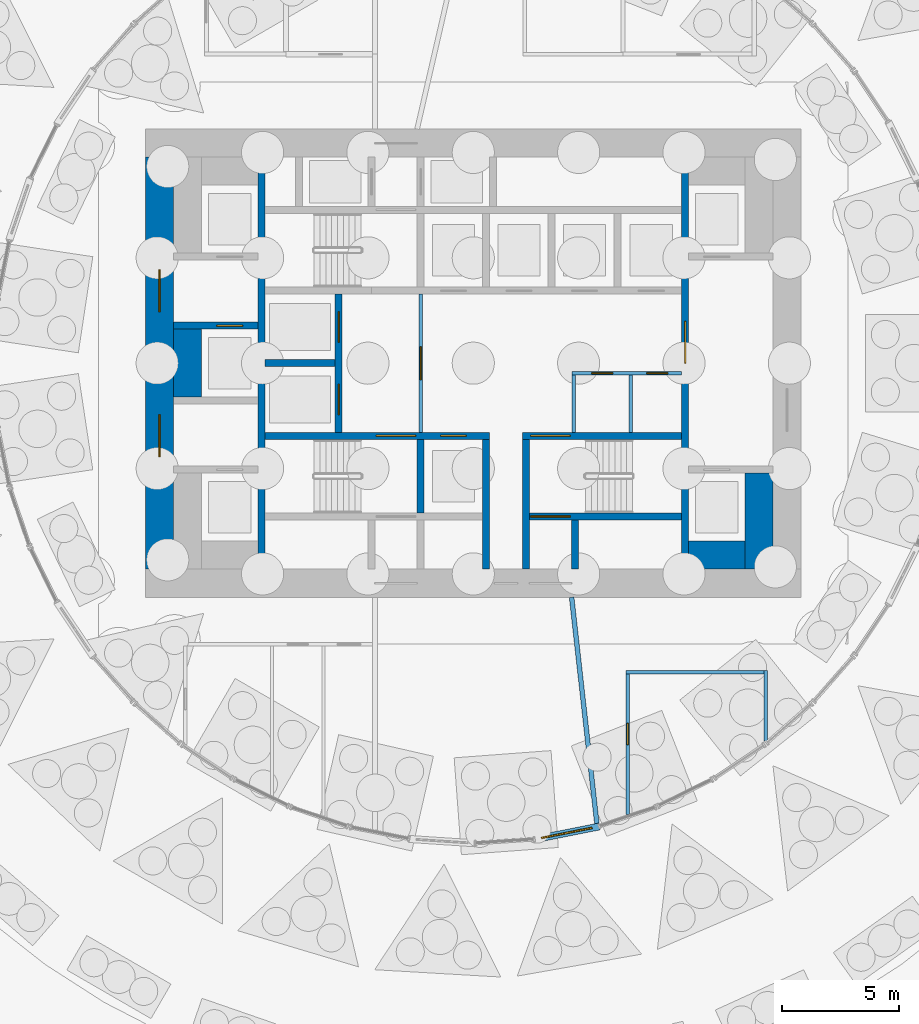
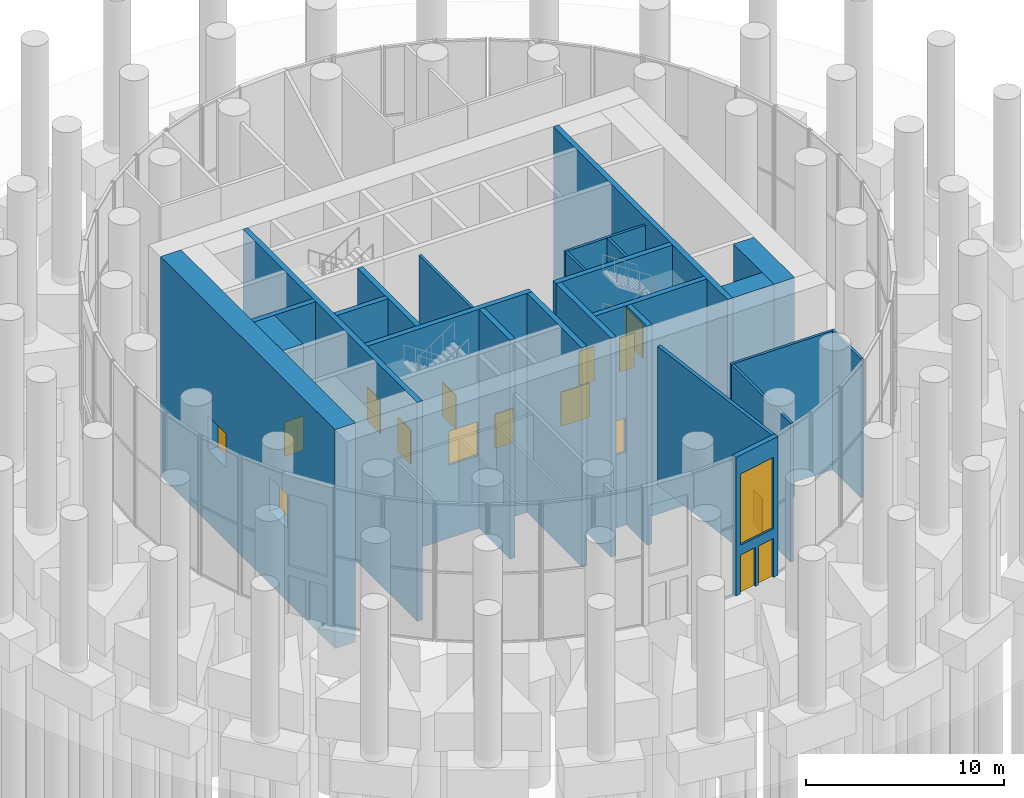
# One storey, part 13 of 20: 25 walls, 16 doors, 1 window, 17 openings.
"""IFC4 building model written with IfcOpenShell, lengths in metres."""

from ifc_helpers import new_model, si_unit, direction, frame, frame_2d, origin, place, context, subcontext, project, spatial, rectangle, extrude, material, layer, layer_set, type_object, element, fill, save


model = new_model("IFC4")

# Units and contexts
model_context = context("Model", 3, precision=1e-05, world=origin(), true_north=direction((0.0, 1.0)))
body_context = subcontext(model_context, "Body", "Model", "MODEL_VIEW")
ifc_project = project(units=[si_unit("LENGTHUNIT", "METRE"), si_unit("AREAUNIT", "SQUARE_METRE"), si_unit("VOLUMEUNIT", "CUBIC_METRE"), si_unit("PLANEANGLEUNIT", "RADIAN"), si_unit("MASSUNIT", "GRAM", prefix="KILO")], contexts=[model_context])

# Site, building, storey
site_placement = place(None, origin())
site = spatial("IfcSite", under=ifc_project, at=site_placement, CompositionType="ELEMENT")
building_placement = place(site_placement, origin())
building = spatial("IfcBuilding", under=site, at=building_placement, Name="Tracery Tower", CompositionType="ELEMENT")
storey_placement = place(building_placement, origin())
storey = spatial("IfcBuildingStorey", under=building, at=storey_placement, Name="L00", CompositionType="ELEMENT", Elevation=0.0)

# Wall, opening, door
ifc_material_1 = material(Name="Plasterboard on steel studs", Category="steel")
ifc_layer_1 = layer(ifc_material_1, 0.14990234375)
ifc_layer_set_1 = layer_set([ifc_layer_1], Name="Core lobby partition 150")
wall_type_1 = type_object("IfcWallType", Name="Core lobby partition 150", PredefinedType="SOLIDWALL", material=ifc_layer_set_1)
wall_1_placement = place(storey_placement, frame((-2.25, -2.949951171875, 0.0), z_axis=(0.0, 0.0, 1.0), x_axis=(0.0, 1.0, 0.0)))
wall_1 = element("IfcWall", 1, at=wall_1_placement, inside=storey, type_object=wall_type_1, Name="L00 FF lobby E", PredefinedType="SOLIDWALL", context=body_context, shape_type="SweptSolid", body=[
    extrude(rectangle(XDim=5.89990234375, YDim=0.14990234375, at=frame_2d((2.949951171875, 0.0))), origin(), (0.0, 0.0, 1.0), 8.550048828125),
])
opening_1_placement = place(wall_1_placement, frame((2.25, 0.0, 0.0)))
opening_1 = element("IfcOpeningElement", 2, at=opening_1_placement, cuts=wall_1, Name="Opening KD8", PredefinedType="OPENING", context=body_context, shape_type="SweptSolid", body=[
    extrude(rectangle(XDim=1.39990234375, YDim=2.10009765625, at=frame_2d((0.699951171875, 1.050048828125))), frame((0.0, 0.074951171875, 0.0), z_axis=(0.0, -1.0, 0.0), x_axis=(1.0, 0.0, 0.0)), (0.0, 0.0, 1.0), 0.14990234375),
])
ifc_material_2 = material(Name="Steel fire door", Category="steel")
door_type_1 = type_object("IfcDoorType", Name="Core lobby door 1400 double", OperationType="NOTDEFINED", PredefinedType="DOOR", material=ifc_material_2)
door_1_placement = place(opening_1_placement, origin())
door_1 = element("IfcDoor", 3, at=door_1_placement, inside=storey, type_object=door_type_1, Name="Fire-fighting lobby door", OperationType="DOUBLE_DOOR_SINGLE_SWING", OverallHeight=2.10009765625, OverallWidth=1.39990234375, PredefinedType="DOOR", context=body_context, shape_type="SweptSolid", body=[
    extrude(rectangle(XDim=1.39990234375, YDim=2.10009765625, at=frame_2d((0.699951171875, 1.050048828125))), frame((0.0, 0.02490234375, 0.0), z_axis=(0.0, -1.0, 0.0), x_axis=(1.0, 0.0, 0.0)), (0.0, 0.0, 1.0), 0.050048828125),
])
fill(opening_1, door_1)

# Wall
ifc_material_3 = material(Name="Plasterboard on steel studs", Category="steel")
ifc_layer_2 = layer(ifc_material_3, 0.14990234375)
ifc_layer_set_2 = layer_set([ifc_layer_2], Name="Core room partition 150")
wall_type_2 = type_object("IfcWallType", Name="Core room partition 150", PredefinedType="SOLIDWALL", material=ifc_layer_set_2)
wall_2_placement = place(storey_placement, frame((4.300048828125, -2.949951171875, 0.0), z_axis=(0.0, 0.0, 1.0), x_axis=(0.0, 1.0, 0.0)))
element("IfcWall", 4, at=wall_2_placement, inside=storey, type_object=wall_type_2, Name="L00 slot W", PredefinedType="SOLIDWALL", context=body_context, shape_type="SweptSolid", body=[
    extrude(rectangle(XDim=2.449951171875, YDim=0.14990234375, at=frame_2d((1.22509765625, 0.0))), origin(), (0.0, 0.0, 1.0), 8.550048828125),
])

# Wall, openings, doors
wall_3_placement = place(storey_placement, frame((4.22509765625, -0.425048828125, 0.0), z_axis=(0.0, 0.0, 1.0), x_axis=(1.0, 0.0, 0.0)))
wall_3 = element("IfcWall", 5, at=wall_3_placement, inside=storey, type_object=wall_type_2, Name="L00 slot N", PredefinedType="SOLIDWALL", context=body_context, shape_type="SweptSolid", body=[
    extrude(rectangle(XDim=4.6748046875, YDim=0.14990234375, at=frame_2d((2.33740234375, 0.0))), origin(), (0.0, 0.0, 1.0), 8.550048828125),
])
opening_2_placement = place(wall_3_placement, frame((0.83740234375, 0.0, 0.0)))
opening_2 = element("IfcOpeningElement", 6, at=opening_2_placement, cuts=wall_3, Name="Opening KD27", PredefinedType="OPENING", context=body_context, shape_type="SweptSolid", body=[
    extrude(rectangle(XDim=0.89990234375, YDim=2.10009765625, at=frame_2d((0.449951171875, 1.050048828125))), frame((0.0, 0.074951171875, 0.0), z_axis=(0.0, -1.0, 0.0), x_axis=(1.0, 0.0, 0.0)), (0.0, 0.0, 1.0), 0.14990234375),
])
opening_3_placement = place(wall_3_placement, frame((3.175048828125, 0.0, 0.0)))
opening_3 = element("IfcOpeningElement", 7, at=opening_3_placement, cuts=wall_3, Name="Opening KD21", PredefinedType="OPENING", context=body_context, shape_type="SweptSolid", body=[
    extrude(rectangle(XDim=0.89990234375, YDim=2.10009765625, at=frame_2d((0.449951171875, 1.050048828125))), frame((0.0, 0.074951171875, 0.0), z_axis=(0.0, -1.0, 0.0), x_axis=(1.0, 0.0, 0.0)), (0.0, 0.0, 1.0), 0.14990234375),
])
ifc_material_4 = material(Name="Timber door leaf", Category="wood")
door_type_2 = type_object("IfcDoorType", Name="Core WC door 900", OperationType="NOTDEFINED", PredefinedType="DOOR", material=ifc_material_4)
door_2_placement = place(opening_3_placement, origin())
door_2 = element("IfcDoor", 8, at=door_2_placement, inside=storey, type_object=door_type_2, Name="Core door", OperationType="SINGLE_SWING_LEFT", OverallHeight=2.10009765625, OverallWidth=0.89990234375, PredefinedType="DOOR", context=body_context, shape_type="SweptSolid", body=[
    extrude(rectangle(XDim=0.89990234375, YDim=2.10009765625, at=frame_2d((0.449951171875, 1.050048828125))), frame((0.0, 0.02490234375, 0.0), z_axis=(0.0, -1.0, 0.0), x_axis=(1.0, 0.0, 0.0)), (0.0, 0.0, 1.0), 0.050048828125),
])
fill(opening_3, door_2)
ifc_material_5 = material(Name="Timber door leaf", Category="wood")
door_type_3 = type_object("IfcDoorType", Name="Core store door 900", OperationType="NOTDEFINED", PredefinedType="DOOR", material=ifc_material_5)
door_3_placement = place(opening_2_placement, origin())
door_3 = element("IfcDoor", 9, at=door_3_placement, inside=storey, type_object=door_type_3, Name="Core door", OperationType="SINGLE_SWING_RIGHT", OverallHeight=2.10009765625, OverallWidth=0.89990234375, PredefinedType="DOOR", context=body_context, shape_type="SweptSolid", body=[
    extrude(rectangle(XDim=0.89990234375, YDim=2.10009765625, at=frame_2d((0.449951171875, 1.050048828125))), frame((0.0, 0.02490234375, 0.0), z_axis=(0.0, -1.0, 0.0), x_axis=(1.0, 0.0, 0.0)), (0.0, 0.0, 1.0), 0.050048828125),
])
fill(opening_2, door_3)

# Walls
wall_4_placement = place(storey_placement, frame((6.72509765625, -2.949951171875, 0.0), z_axis=(0.0, 0.0, 1.0), x_axis=(0.0, 1.0, 0.0)))
element("IfcWall", 10, at=wall_4_placement, inside=storey, type_object=wall_type_2, Name="L00 slot sep 1", PredefinedType="SOLIDWALL", context=body_context, shape_type="SweptSolid", body=[
    extrude(rectangle(XDim=2.449951171875, YDim=0.14990234375, at=frame_2d((1.22509765625, 0.0))), origin(), (0.0, 0.0, 1.0), 8.550048828125),
])
ifc_material_6 = material(Name="Concrete C60/75", Category="concrete")
ifc_layer_3 = layer(ifc_material_6, 1.199951171875)
ifc_layer_set_3 = layer_set([ifc_layer_3], Name="Core strip wall 1200 C60 from pit")
wall_type_3 = type_object("IfcWallType", Name="Core strip wall 1200 C60 from pit", PredefinedType="SOLIDWALL", material=ifc_layer_set_3)
wall_5_placement = place(storey_placement, frame((-12.199951171875, -1.449951171875, -4.5), z_axis=(0.0, 0.0, 1.0), x_axis=(0.0, 1.0, 0.0)))
element("IfcWall", 11, at=wall_5_placement, inside=storey, type_object=wall_type_3, Name="L00 wing strip -1 -1.6", PredefinedType="SOLIDWALL", context=body_context, shape_type="SweptSolid", body=[
    extrude(rectangle(XDim=2.89990234375, YDim=1.199951171875, at=frame_2d((1.449951171875, 0.0))), origin(), (0.0, 0.0, 1.0), 13.5),
])
wall_6_placement = place(storey_placement, frame((12.199951171875, -8.800048828125, -4.5), z_axis=(0.0, 0.0, 1.0), x_axis=(0.0, 1.0, 0.0)))
element("IfcWall", 12, at=wall_6_placement, inside=storey, type_object=wall_type_3, Name="L00 wing strip +1 -9.4", PredefinedType="SOLIDWALL", context=body_context, shape_type="SweptSolid", body=[
    extrude(rectangle(XDim=4.10009765625, YDim=1.199951171875, at=frame_2d((2.050048828125, 0.0))), origin(), (0.0, 0.0, 1.0), 13.5),
])
wall_7_placement = place(storey_placement, frame((9.199951171875, -8.199951171875, -4.5), z_axis=(0.0, 0.0, 1.0), x_axis=(1.0, 0.0, 0.0)))
element("IfcWall", 13, at=wall_7_placement, inside=storey, type_object=wall_type_3, Name="L00 wing corner +1 -8.2", PredefinedType="SOLIDWALL", context=body_context, shape_type="SweptSolid", body=[
    extrude(rectangle(XDim=2.400146484375, YDim=1.199951171875, at=frame_2d((1.2001953125, 0.0))), origin(), (0.0, 0.0, 1.0), 13.5),
])

# Wall, openings, doors
ifc_material_7 = material(Name="Concrete C60/75", Category="concrete")
ifc_layer_4 = layer(ifc_material_7, 1.199951171875)
ifc_layer_set_4 = layer_set([ifc_layer_4], Name="Core wall 1200 C60 from pit")
wall_type_4 = type_object("IfcWallType", Name="Core wall 1200 C60 from pit", PredefinedType="SOLIDWALL", material=ifc_layer_set_4)
wall_8_placement = place(storey_placement, frame((-13.39990234375, -8.800048828125, -4.5), z_axis=(0.0, 0.0, 1.0), x_axis=(0.0, 1.0, 0.0)))
wall_8 = element("IfcWall", 14, at=wall_8_placement, inside=storey, type_object=wall_type_4, Name="L00 outer W", PredefinedType="SOLIDWALL", context=body_context, shape_type="SweptSolid", body=[
    extrude(rectangle(XDim=17.60009765625, YDim=1.199951171875, at=frame_2d((8.800048828125, 0.0))), origin(), (0.0, 0.0, 1.0), 13.5),
])
opening_4_placement = place(wall_8_placement, frame((4.800048828125, 0.0, 4.5)))
opening_4 = element("IfcOpeningElement", 15, at=opening_4_placement, cuts=wall_8, Name="Opening KD13", PredefinedType="OPENING", context=body_context, shape_type="SweptSolid", body=[
    extrude(rectangle(XDim=1.800048828125, YDim=2.10009765625, at=frame_2d((0.89990234375, 1.050048828125))), frame((0.0, 0.60009765625, 0.0), z_axis=(0.0, -1.0, 0.0), x_axis=(1.0, 0.0, 0.0)), (0.0, 0.0, 1.0), 1.199951171875),
])
opening_5_placement = place(wall_8_placement, frame((11.0, 0.0, 4.5)))
opening_5 = element("IfcOpeningElement", 16, at=opening_5_placement, cuts=wall_8, Name="Opening KD13", PredefinedType="OPENING", context=body_context, shape_type="SweptSolid", body=[
    extrude(rectangle(XDim=1.800048828125, YDim=2.10009765625, at=frame_2d((0.89990234375, 1.050048828125))), frame((0.0, 0.60009765625, 0.0), z_axis=(0.0, -1.0, 0.0), x_axis=(1.0, 0.0, 0.0)), (0.0, 0.0, 1.0), 1.199951171875),
])
ifc_material_8 = material(Name="Steel fire door", Category="steel")
door_type_4 = type_object("IfcDoorType", Name="Core exit door 1800 double", OperationType="NOTDEFINED", PredefinedType="DOOR", material=ifc_material_8)
door_4_placement = place(opening_4_placement, origin())
door_4 = element("IfcDoor", 17, at=door_4_placement, inside=storey, type_object=door_type_4, Name="Core exit door", OperationType="DOUBLE_DOOR_SINGLE_SWING", OverallHeight=2.10009765625, OverallWidth=1.800048828125, PredefinedType="DOOR", context=body_context, shape_type="SweptSolid", body=[
    extrude(rectangle(XDim=1.800048828125, YDim=2.10009765625, at=frame_2d((0.89990234375, 1.050048828125))), frame((0.0, 0.02490234375, 0.0), z_axis=(0.0, -1.0, 0.0), x_axis=(1.0, 0.0, 0.0)), (0.0, 0.0, 1.0), 0.050048828125),
])
fill(opening_4, door_4)
door_5_placement = place(opening_5_placement, origin())
door_5 = element("IfcDoor", 18, at=door_5_placement, inside=storey, type_object=door_type_4, Name="Core exit door", OperationType="DOUBLE_DOOR_SINGLE_SWING", OverallHeight=2.10009765625, OverallWidth=1.800048828125, PredefinedType="DOOR", context=body_context, shape_type="SweptSolid", body=[
    extrude(rectangle(XDim=1.800048828125, YDim=2.10009765625, at=frame_2d((0.89990234375, 1.050048828125))), frame((0.0, 0.02490234375, 0.0), z_axis=(0.0, -1.0, 0.0), x_axis=(1.0, 0.0, 0.0)), (0.0, 0.0, 1.0), 0.050048828125),
])
fill(opening_5, door_5)

# Wall, opening, door
ifc_material_9 = material(Name="Plasterboard on steel studs", Category="steel")
ifc_layer_5 = layer(ifc_material_9, 0.14990234375)
ifc_layer_set_5 = layer_set([ifc_layer_5], Name="Corridor partition 150")
wall_type_5 = type_object("IfcWallType", Name="Corridor partition 150", PredefinedType="PARTITIONING", material=ifc_layer_set_5)
wall_9_placement = place(storey_placement, frame((6.60009765625, -13.27490234375, 0.0), z_axis=(0.0, 0.0, 1.0), x_axis=(0.0, -1.0, 0.0)))
wall_9 = element("IfcWall", 19, at=wall_9_placement, inside=storey, type_object=wall_type_5, Name="Corridor partition 150", PredefinedType="PARTITIONING", context=body_context, shape_type="SweptSolid", body=[
    extrude(rectangle(XDim=6.00146484375, YDim=0.14990234375, at=frame_2d((3.000732421875, 0.0))), origin(), (0.0, 0.0, 1.0), 8.550048828125),
])
opening_6_placement = place(wall_9_placement, frame((2.11328125, 0.0, 0.0)))
opening_6 = element("IfcOpeningElement", 20, at=opening_6_placement, cuts=wall_9, Name="Opening SB-L00-01", PredefinedType="OPENING", context=body_context, shape_type="SweptSolid", body=[
    extrude(rectangle(XDim=0.89990234375, YDim=2.10009765625, at=frame_2d((0.449951171875, 1.050048828125))), frame((0.0, 0.074951171875, 0.0), z_axis=(0.0, -1.0, 0.0), x_axis=(1.0, 0.0, 0.0)), (0.0, 0.0, 1.0), 0.14990234375),
])
ifc_material_10 = material(Name="Steel fire door", Category="steel")
door_type_5 = type_object("IfcDoorType", Name="Store door 900", OperationType="NOTDEFINED", PredefinedType="DOOR", material=ifc_material_10)
door_6_placement = place(opening_6_placement, origin())
door_6 = element("IfcDoor", 21, at=door_6_placement, inside=storey, type_object=door_type_5, Name="Store door 900", OperationType="SINGLE_SWING_RIGHT", OverallHeight=2.10009765625, OverallWidth=0.89990234375, PredefinedType="DOOR", context=body_context, shape_type="SweptSolid", body=[
    extrude(rectangle(XDim=0.89990234375, YDim=2.10009765625, at=frame_2d((0.449951171875, 1.050048828125))), frame((0.0, 0.02490234375, 0.0), z_axis=(0.0, -1.0, 0.0), x_axis=(1.0, 0.0, 0.0)), (0.0, 0.0, 1.0), 0.050048828125),
])
fill(opening_6, door_6)

# Walls
wall_10_placement = place(storey_placement, frame((6.52490234375, -13.199951171875, 0.0), z_axis=(0.0, 0.0, 1.0), x_axis=(1.0, 0.0, 0.0)))
element("IfcWall", 22, at=wall_10_placement, inside=storey, type_object=wall_type_5, Name="Corridor partition 150", PredefinedType="PARTITIONING", context=body_context, shape_type="SweptSolid", body=[
    extrude(rectangle(XDim=5.900146484375, YDim=0.14990234375, at=frame_2d((2.9501953125, 0.0))), origin(), (0.0, 0.0, 1.0), 8.550048828125),
])
wall_11_placement = place(storey_placement, frame((12.5, -13.125, 0.0), z_axis=(0.0, 0.0, 1.0), x_axis=(0.0, -1.0, 0.0)))
element("IfcWall", 23, at=wall_11_placement, inside=storey, type_object=wall_type_5, Name="Corridor partition 150", PredefinedType="PARTITIONING", context=body_context, shape_type="SweptSolid", body=[
    extrude(rectangle(XDim=3.0126953125, YDim=0.14990234375, at=frame_2d((1.50634765625, 0.0))), origin(), (0.0, 0.0, 1.0), 8.550048828125),
])

# Wall, openings, window, doors
ifc_material_11 = material(Name="Precast concrete C50/60", Category="concrete")
ifc_layer_6 = layer(ifc_material_11, 0.300048828125)
ifc_layer_set_6 = layer_set([ifc_layer_6], Name="Entrance portal wall 300")
wall_type_6 = type_object("IfcWallType", Name="Entrance portal wall 300", PredefinedType="STANDARD", material=ifc_layer_set_6)
wall_12_placement = place(storey_placement, frame((2.602294921875, -20.33935546875, 0.0), z_axis=(0.0, 0.0, 1.0), x_axis=(0.98077914564, 0.195121161018, 0.0)))
wall_12 = element("IfcWall", 24, at=wall_12_placement, inside=storey, type_object=wall_type_6, Name="Entrance portal 7", PredefinedType="STANDARD", context=body_context, shape_type="SweptSolid", body=[
    extrude(rectangle(XDim=2.83154296875, YDim=0.300048828125, at=frame_2d((1.415771484375, 0.0))), origin(), (0.0, 0.0, 1.0), 8.550048828125),
])
opening_7_placement = place(wall_12_placement, frame((0.31591796875, 0.0, 0.0)))
opening_7 = element("IfcOpeningElement", 25, at=opening_7_placement, cuts=wall_12, Name="Opening ED913", PredefinedType="OPENING", context=body_context, shape_type="SweptSolid", body=[
    extrude(rectangle(XDim=1.0, YDim=2.39990234375, at=frame_2d((0.5, 1.199951171875))), frame((0.0, 0.14990234375, 0.0), z_axis=(0.0, -1.0, 0.0), x_axis=(1.0, 0.0, 0.0)), (0.0, 0.0, 1.0), 0.300048828125),
])
opening_8_placement = place(wall_12_placement, frame((1.515869140625, 0.0, 0.0)))
opening_8 = element("IfcOpeningElement", 26, at=opening_8_placement, cuts=wall_12, Name="Opening ED914", PredefinedType="OPENING", context=body_context, shape_type="SweptSolid", body=[
    extrude(rectangle(XDim=1.0, YDim=2.39990234375, at=frame_2d((0.5, 1.199951171875))), frame((0.0, 0.14990234375, 0.0), z_axis=(0.0, -1.0, 0.0), x_axis=(1.0, 0.0, 0.0)), (0.0, 0.0, 1.0), 0.300048828125),
])
opening_9_placement = place(wall_12_placement, frame((0.31591796875, 0.0, 3.0)))
opening_9 = element("IfcOpeningElement", 27, at=opening_9_placement, cuts=wall_12, Name="Opening EW807", PredefinedType="OPENING", context=body_context, shape_type="SweptSolid", body=[
    extrude(rectangle(XDim=2.199951171875, YDim=4.39990234375, at=frame_2d((1.10009765625, 2.199951171875))), frame((0.0, 0.14990234375, 0.0), z_axis=(0.0, -1.0, 0.0), x_axis=(1.0, 0.0, 0.0)), (0.0, 0.0, 1.0), 0.300048828125),
])
ifc_material_12 = material(Name="Aluminium frame with tinted double glazing", Category="aluminium")
window_type = type_object("IfcWindowType", Name="Entrance fanlight 2200 x 4400", PartitioningType="SINGLE_PANEL", PredefinedType="WINDOW", material=ifc_material_12)
window_placement = place(opening_9_placement, origin())
window = element("IfcWindow", 28, at=window_placement, inside=storey, type_object=window_type, Name="Entrance fanlight EW807", OverallHeight=4.39990234375, OverallWidth=2.199951171875, PartitioningType="SINGLE_PANEL", PredefinedType="WINDOW", context=body_context, shape_type="SweptSolid", body=[
    extrude(rectangle(XDim=2.199951171875, YDim=4.39990234375, at=frame_2d((1.10009765625, 2.199951171875))), frame((0.0, 0.030029296875, 0.0), z_axis=(0.0, -1.0, 0.0), x_axis=(1.0, 0.0, 0.0)), (0.0, 0.0, 1.0), 0.06005859375),
])
fill(opening_9, window)
ifc_material_13 = material(Name="Glazed aluminium door", Category="aluminium")
door_type_6 = type_object("IfcDoorType", Name="Pavilion entrance door 1000 x 2400", OperationType="NOTDEFINED", PredefinedType="DOOR", material=ifc_material_13)
door_7_placement = place(opening_7_placement, origin())
door_7 = element("IfcDoor", 29, at=door_7_placement, inside=storey, type_object=door_type_6, Name="Entrance door ED913", OperationType="SLIDING_TO_LEFT", OverallHeight=2.39990234375, OverallWidth=1.0, PredefinedType="DOOR", context=body_context, shape_type="SweptSolid", body=[
    extrude(rectangle(XDim=1.0, YDim=2.39990234375, at=frame_2d((0.5, 1.199951171875))), frame((0.0, 0.02490234375, 0.0), z_axis=(0.0, -1.0, 0.0), x_axis=(1.0, 0.0, 0.0)), (0.0, 0.0, 1.0), 0.050048828125),
])
fill(opening_7, door_7)
door_8_placement = place(opening_8_placement, origin())
door_8 = element("IfcDoor", 30, at=door_8_placement, inside=storey, type_object=door_type_6, Name="Entrance door ED914", OperationType="SLIDING_TO_RIGHT", OverallHeight=2.39990234375, OverallWidth=1.0, PredefinedType="DOOR", context=body_context, shape_type="SweptSolid", body=[
    extrude(rectangle(XDim=1.0, YDim=2.39990234375, at=frame_2d((0.5, 1.199951171875))), frame((0.0, 0.02490234375, 0.0), z_axis=(0.0, -1.0, 0.0), x_axis=(1.0, 0.0, 0.0)), (0.0, 0.0, 1.0), 0.050048828125),
])
fill(opening_8, door_8)

# Walls
ifc_material_14 = material(Name="Concrete blockwork", Category="masonry")
ifc_layer_7 = layer(ifc_material_14, 0.199951171875)
ifc_layer_set_7 = layer_set([ifc_layer_7], Name="Fire lobby wall 200")
wall_type_7 = type_object("IfcWallType", Name="Fire lobby wall 200", PredefinedType="PARTITIONING", material=ifc_layer_set_7)
wall_13_placement = place(storey_placement, frame((4.2001953125, -10.00146484375, 0.0), z_axis=(0.0, 0.0, 1.0), x_axis=(0.110902626448, -0.993831277153, 0.0)))
element("IfcWall", 31, at=wall_13_placement, inside=storey, type_object=wall_type_7, Name="Fire lobby wall 200", PredefinedType="PARTITIONING", context=body_context, shape_type="SweptSolid", body=[
    extrude(rectangle(XDim=9.782958984375, YDim=0.199951171875, at=frame_2d((4.8916015625, 0.0))), origin(), (0.0, 0.0, 1.0), 8.550048828125),
])
ifc_material_15 = material(Name="Concrete C60/75", Category="concrete")
ifc_layer_8 = layer(ifc_material_15, 0.300048828125)
ifc_layer_set_8 = layer_set([ifc_layer_8], Name="Shaft wall 300 C60 from pit")
wall_type_8 = type_object("IfcWallType", Name="Shaft wall 300 C60 from pit", PredefinedType="SOLIDWALL", material=ifc_layer_set_8)
wall_14_placement = place(storey_placement, frame((-8.89990234375, 0.0, -4.5), z_axis=(0.0, 0.0, 1.0), x_axis=(1.0, 0.0, 0.0)))
element("IfcWall", 32, at=wall_14_placement, inside=storey, type_object=wall_type_8, Name="L00 FF split", PredefinedType="SOLIDWALL", context=body_context, shape_type="SweptSolid", body=[
    extrude(rectangle(XDim=3.0, YDim=0.300048828125, at=frame_2d((1.5, 0.0))), origin(), (0.0, 0.0, 1.0), 13.5),
])

# Wall, openings, doors
wall_15_placement = place(storey_placement, frame((-5.75, -2.949951171875, -4.5), z_axis=(0.0, 0.0, 1.0), x_axis=(0.0, 1.0, 0.0)))
wall_15 = element("IfcWall", 33, at=wall_15_placement, inside=storey, type_object=wall_type_8, Name="L00 FF doors", PredefinedType="SOLIDWALL", context=body_context, shape_type="SweptSolid", body=[
    extrude(rectangle(XDim=5.89990234375, YDim=0.300048828125, at=frame_2d((2.949951171875, 0.0))), origin(), (0.0, 0.0, 1.0), 13.5),
])
opening_10_placement = place(wall_15_placement, frame((0.75, 0.0, 4.5)))
opening_10 = element("IfcOpeningElement", 34, at=opening_10_placement, cuts=wall_15, Name="Opening KD54", PredefinedType="OPENING", context=body_context, shape_type="SweptSolid", body=[
    extrude(rectangle(XDim=1.300048828125, YDim=2.10009765625, at=frame_2d((0.64990234375, 1.050048828125))), frame((0.0, 0.14990234375, 0.0), z_axis=(0.0, -1.0, 0.0), x_axis=(1.0, 0.0, 0.0)), (0.0, 0.0, 1.0), 0.300048828125),
])
opening_11_placement = place(wall_15_placement, frame((3.85009765625, 0.0, 4.5)))
opening_11 = element("IfcOpeningElement", 35, at=opening_11_placement, cuts=wall_15, Name="Opening KD55", PredefinedType="OPENING", context=body_context, shape_type="SweptSolid", body=[
    extrude(rectangle(XDim=1.300048828125, YDim=2.10009765625, at=frame_2d((0.64990234375, 1.050048828125))), frame((0.0, 0.14990234375, 0.0), z_axis=(0.0, -1.0, 0.0), x_axis=(1.0, 0.0, 0.0)), (0.0, 0.0, 1.0), 0.300048828125),
])
ifc_material_16 = material(Name="Steel fire door", Category="steel")
door_type_7 = type_object("IfcDoorType", Name="Landing door FF 1300", OperationType="NOTDEFINED", PredefinedType="DOOR", material=ifc_material_16)
door_9_placement = place(opening_10_placement, origin())
door_9 = element("IfcDoor", 36, at=door_9_placement, inside=storey, type_object=door_type_7, Name="Landing door FF1", OperationType="SLIDING_TO_LEFT", OverallHeight=2.10009765625, OverallWidth=1.300048828125, PredefinedType="DOOR", context=body_context, shape_type="SweptSolid", body=[
    extrude(rectangle(XDim=1.300048828125, YDim=2.10009765625, at=frame_2d((0.64990234375, 1.050048828125))), frame((0.0, 0.02490234375, 0.0), z_axis=(0.0, -1.0, 0.0), x_axis=(1.0, 0.0, 0.0)), (0.0, 0.0, 1.0), 0.050048828125),
])
fill(opening_10, door_9)
door_10_placement = place(opening_11_placement, origin())
door_10 = element("IfcDoor", 37, at=door_10_placement, inside=storey, type_object=door_type_7, Name="Landing door FF2", OperationType="SLIDING_TO_RIGHT", OverallHeight=2.10009765625, OverallWidth=1.300048828125, PredefinedType="DOOR", context=body_context, shape_type="SweptSolid", body=[
    extrude(rectangle(XDim=1.300048828125, YDim=2.10009765625, at=frame_2d((0.64990234375, 1.050048828125))), frame((0.0, 0.02490234375, 0.0), z_axis=(0.0, -1.0, 0.0), x_axis=(1.0, 0.0, 0.0)), (0.0, 0.0, 1.0), 0.050048828125),
])
fill(opening_11, door_10)

# Walls
wall_16_placement = place(storey_placement, frame((0.550048828125, -8.800048828125, -4.5), z_axis=(0.0, 0.0, 1.0), x_axis=(0.0, 1.0, 0.0)))
element("IfcWall", 38, at=wall_16_placement, inside=storey, type_object=wall_type_8, Name="L00 OB2 E", PredefinedType="SOLIDWALL", context=body_context, shape_type="SweptSolid", body=[
    extrude(rectangle(XDim=5.550048828125, YDim=0.300048828125, at=frame_2d((2.77490234375, 0.0))), origin(), (0.0, 0.0, 1.0), 13.5),
])
wall_17_placement = place(storey_placement, frame((4.35009765625, -8.800048828125, -4.5), z_axis=(0.0, 0.0, 1.0), x_axis=(0.0, 1.0, 0.0)))
element("IfcWall", 39, at=wall_17_placement, inside=storey, type_object=wall_type_8, Name="L00 band S +4.35", PredefinedType="SOLIDWALL", context=body_context, shape_type="SweptSolid", body=[
    extrude(rectangle(XDim=2.10009765625, YDim=0.300048828125, at=frame_2d((1.050048828125, 0.0))), origin(), (0.0, 0.0, 1.0), 13.5),
])

# Wall, opening, door
wall_18_placement = place(storey_placement, frame((-12.800048828125, 1.60009765625, -4.5), z_axis=(0.0, 0.0, 1.0), x_axis=(1.0, 0.0, 0.0)))
wall_18 = element("IfcWall", 40, at=wall_18_placement, inside=storey, type_object=wall_type_8, Name="L00 wing shaft wall -1 +1.60", PredefinedType="SOLIDWALL", context=body_context, shape_type="SweptSolid", body=[
    extrude(rectangle(XDim=3.60009765625, YDim=0.300048828125, at=frame_2d((1.800048828125, 0.0))), origin(), (0.0, 0.0, 1.0), 13.5),
])
opening_12_placement = place(wall_18_placement, frame((1.85009765625, 0.0, 4.5)))
opening_12 = element("IfcOpeningElement", 41, at=opening_12_placement, cuts=wall_18, Name="Opening KD50", PredefinedType="OPENING", context=body_context, shape_type="SweptSolid", body=[
    extrude(rectangle(XDim=1.10009765625, YDim=2.10009765625, at=frame_2d((0.550048828125, 1.050048828125))), frame((0.0, 0.14990234375, 0.0), z_axis=(0.0, -1.0, 0.0), x_axis=(1.0, 0.0, 0.0)), (0.0, 0.0, 1.0), 0.300048828125),
])
ifc_material_17 = material(Name="Steel fire door", Category="steel")
door_type_8 = type_object("IfcDoorType", Name="Landing door 1100", OperationType="NOTDEFINED", PredefinedType="DOOR", material=ifc_material_17)
door_11_placement = place(opening_12_placement, origin())
door_11 = element("IfcDoor", 42, at=door_11_placement, inside=storey, type_object=door_type_8, Name="Landing door LR1", OperationType="SLIDING_TO_RIGHT", OverallHeight=2.10009765625, OverallWidth=1.10009765625, PredefinedType="DOOR", context=body_context, shape_type="SweptSolid", body=[
    extrude(rectangle(XDim=1.10009765625, YDim=2.10009765625, at=frame_2d((0.550048828125, 1.050048828125))), frame((0.0, 0.02490234375, 0.0), z_axis=(0.0, -1.0, 0.0), x_axis=(1.0, 0.0, 0.0)), (0.0, 0.0, 1.0), 0.050048828125),
])
fill(opening_12, door_11)

# Wall, openings, doors
ifc_material_18 = material(Name="Concrete C60/75", Category="concrete")
ifc_layer_9 = layer(ifc_material_18, 0.300048828125)
ifc_layer_set_9 = layer_set([ifc_layer_9], Name="Stair wall 300 C60 from pit")
wall_type_9 = type_object("IfcWallType", Name="Stair wall 300 C60 from pit", PredefinedType="SOLIDWALL", material=ifc_layer_set_9)
wall_19_placement = place(storey_placement, frame((-8.89990234375, -3.10009765625, -4.5), z_axis=(0.0, 0.0, 1.0), x_axis=(1.0, 0.0, 0.0)))
wall_19 = element("IfcWall", 43, at=wall_19_placement, inside=storey, type_object=wall_type_9, Name="L00 row S", PredefinedType="SOLIDWALL", context=body_context, shape_type="SweptSolid", body=[
    extrude(rectangle(XDim=9.599853515625, YDim=0.300048828125, at=frame_2d((4.7998046875, 0.0))), origin(), (0.0, 0.0, 1.0), 13.5),
])
opening_13_placement = place(wall_19_placement, frame((4.75, 0.0, 4.5)))
opening_13 = element("IfcOpeningElement", 44, at=opening_13_placement, cuts=wall_19, Name="Opening KD3", PredefinedType="OPENING", context=body_context, shape_type="SweptSolid", body=[
    extrude(rectangle(XDim=1.699951171875, YDim=2.10009765625, at=frame_2d((0.85009765625, 1.050048828125))), frame((0.0, 0.14990234375, 0.0), z_axis=(0.0, -1.0, 0.0), x_axis=(1.0, 0.0, 0.0)), (0.0, 0.0, 1.0), 0.300048828125),
])
opening_14_placement = place(wall_19_placement, frame((7.5, 0.0, 4.5)))
opening_14 = element("IfcOpeningElement", 45, at=opening_14_placement, cuts=wall_19, Name="Opening KD49", PredefinedType="OPENING", context=body_context, shape_type="SweptSolid", body=[
    extrude(rectangle(XDim=1.10009765625, YDim=2.10009765625, at=frame_2d((0.550048828125, 1.050048828125))), frame((0.0, 0.14990234375, 0.0), z_axis=(0.0, -1.0, 0.0), x_axis=(1.0, 0.0, 0.0)), (0.0, 0.0, 1.0), 0.300048828125),
])
ifc_material_19 = material(Name="Steel fire door", Category="steel")
door_type_9 = type_object("IfcDoorType", Name="Core stair door 1700 double", OperationType="NOTDEFINED", PredefinedType="DOOR", material=ifc_material_19)
door_12_placement = place(opening_13_placement, origin())
door_12 = element("IfcDoor", 46, at=door_12_placement, inside=storey, type_object=door_type_9, Name="Stair door ST1", OperationType="DOUBLE_DOOR_SINGLE_SWING", OverallHeight=2.10009765625, OverallWidth=1.699951171875, PredefinedType="DOOR", context=body_context, shape_type="SweptSolid", body=[
    extrude(rectangle(XDim=1.699951171875, YDim=2.10009765625, at=frame_2d((0.85009765625, 1.050048828125))), frame((0.0, 0.02490234375, 0.0), z_axis=(0.0, -1.0, 0.0), x_axis=(1.0, 0.0, 0.0)), (0.0, 0.0, 1.0), 0.050048828125),
])
fill(opening_13, door_12)
door_13_placement = place(opening_14_placement, origin())
door_13 = element("IfcDoor", 47, at=door_13_placement, inside=storey, type_object=door_type_8, Name="Landing door OB2", OperationType="SLIDING_TO_LEFT", OverallHeight=2.10009765625, OverallWidth=1.10009765625, PredefinedType="DOOR", context=body_context, shape_type="SweptSolid", body=[
    extrude(rectangle(XDim=1.10009765625, YDim=2.10009765625, at=frame_2d((0.550048828125, 1.050048828125))), frame((0.0, 0.02490234375, 0.0), z_axis=(0.0, -1.0, 0.0), x_axis=(1.0, 0.0, 0.0)), (0.0, 0.0, 1.0), 0.050048828125),
])
fill(opening_14, door_13)

# Wall, opening, door
wall_20_placement = place(storey_placement, frame((2.10009765625, -3.10009765625, -4.5), z_axis=(0.0, 0.0, 1.0), x_axis=(1.0, 0.0, 0.0)))
wall_20 = element("IfcWall", 48, at=wall_20_placement, inside=storey, type_object=wall_type_9, Name="L00 row S E", PredefinedType="SOLIDWALL", context=body_context, shape_type="SweptSolid", body=[
    extrude(rectangle(XDim=6.7998046875, YDim=0.300048828125, at=frame_2d((3.39990234375, 0.0))), origin(), (0.0, 0.0, 1.0), 13.5),
])
opening_15_placement = place(wall_20_placement, frame((0.35009765625, 0.0, 4.5)))
opening_15 = element("IfcOpeningElement", 49, at=opening_15_placement, cuts=wall_20, Name="Opening KD3", PredefinedType="OPENING", context=body_context, shape_type="SweptSolid", body=[
    extrude(rectangle(XDim=1.699951171875, YDim=2.10009765625, at=frame_2d((0.85009765625, 1.050048828125))), frame((0.0, 0.14990234375, 0.0), z_axis=(0.0, -1.0, 0.0), x_axis=(1.0, 0.0, 0.0)), (0.0, 0.0, 1.0), 0.300048828125),
])
door_14_placement = place(opening_15_placement, origin())
door_14 = element("IfcDoor", 50, at=door_14_placement, inside=storey, type_object=door_type_9, Name="Stair door ST2", OperationType="DOUBLE_DOOR_SINGLE_SWING", OverallHeight=2.10009765625, OverallWidth=1.699951171875, PredefinedType="DOOR", context=body_context, shape_type="SweptSolid", body=[
    extrude(rectangle(XDim=1.699951171875, YDim=2.10009765625, at=frame_2d((0.85009765625, 1.050048828125))), frame((0.0, 0.02490234375, 0.0), z_axis=(0.0, -1.0, 0.0), x_axis=(1.0, 0.0, 0.0)), (0.0, 0.0, 1.0), 0.050048828125),
])
fill(opening_15, door_14)

# Walls
wall_21_placement = place(storey_placement, frame((-2.25, -6.39990234375, -4.5), z_axis=(0.0, 0.0, 1.0), x_axis=(0.0, 1.0, 0.0)))
element("IfcWall", 51, at=wall_21_placement, inside=storey, type_object=wall_type_9, Name="L00 ST1 E", PredefinedType="SOLIDWALL", context=body_context, shape_type="SweptSolid", body=[
    extrude(rectangle(XDim=3.14990234375, YDim=0.300048828125, at=frame_2d((1.574951171875, 0.0))), origin(), (0.0, 0.0, 1.0), 13.5),
])
wall_22_placement = place(storey_placement, frame((2.25, -8.800048828125, -4.5), z_axis=(0.0, 0.0, 1.0), x_axis=(0.0, 1.0, 0.0)))
element("IfcWall", 52, at=wall_22_placement, inside=storey, type_object=wall_type_9, Name="L00 ST2 W", PredefinedType="SOLIDWALL", context=body_context, shape_type="SweptSolid", body=[
    extrude(rectangle(XDim=5.550048828125, YDim=0.300048828125, at=frame_2d((2.77490234375, 0.0))), origin(), (0.0, 0.0, 1.0), 13.5),
])
wall_23_placement = place(storey_placement, frame((-9.050048828125, -8.800048828125, -4.5), z_axis=(0.0, 0.0, 1.0), x_axis=(0.0, 1.0, 0.0)))
element("IfcWall", 53, at=wall_23_placement, inside=storey, type_object=wall_type_9, Name="L00 F wall -9", PredefinedType="SOLIDWALL", context=body_context, shape_type="SweptSolid", body=[
    extrude(rectangle(XDim=17.60009765625, YDim=0.300048828125, at=frame_2d((8.800048828125, 0.0))), origin(), (0.0, 0.0, 1.0), 13.5),
])

# Wall, opening, door
wall_24_placement = place(storey_placement, frame((9.050048828125, -8.800048828125, -4.5), z_axis=(0.0, 0.0, 1.0), x_axis=(0.0, 1.0, 0.0)))
wall_24 = element("IfcWall", 54, at=wall_24_placement, inside=storey, type_object=wall_type_9, Name="L00 F wall +9", PredefinedType="SOLIDWALL", context=body_context, shape_type="SweptSolid", body=[
    extrude(rectangle(XDim=17.60009765625, YDim=0.300048828125, at=frame_2d((8.800048828125, 0.0))), origin(), (0.0, 0.0, 1.0), 13.5),
])
opening_16_placement = place(wall_24_placement, frame((8.800048828125, 0.0, 4.5)))
opening_16 = element("IfcOpeningElement", 55, at=opening_16_placement, cuts=wall_24, Name="Opening KD13", PredefinedType="OPENING", context=body_context, shape_type="SweptSolid", body=[
    extrude(rectangle(XDim=1.800048828125, YDim=2.10009765625, at=frame_2d((0.89990234375, 1.050048828125))), frame((0.0, 0.14990234375, 0.0), z_axis=(0.0, -1.0, 0.0), x_axis=(1.0, 0.0, 0.0)), (0.0, 0.0, 1.0), 0.300048828125),
])
door_15_placement = place(opening_16_placement, origin())
door_15 = element("IfcDoor", 56, at=door_15_placement, inside=storey, type_object=door_type_4, Name="Core exit door", OperationType="DOUBLE_DOOR_SINGLE_SWING", OverallHeight=2.10009765625, OverallWidth=1.800048828125, PredefinedType="DOOR", context=body_context, shape_type="SweptSolid", body=[
    extrude(rectangle(XDim=1.800048828125, YDim=2.10009765625, at=frame_2d((0.89990234375, 1.050048828125))), frame((0.0, 0.02490234375, 0.0), z_axis=(0.0, -1.0, 0.0), x_axis=(1.0, 0.0, 0.0)), (0.0, 0.0, 1.0), 0.050048828125),
])
fill(opening_16, door_15)

wall_25_placement = place(storey_placement, frame((2.39990234375, -6.550048828125, -4.5), z_axis=(0.0, 0.0, 1.0), x_axis=(1.0, 0.0, 0.0)))
wall_25 = element("IfcWall", 57, at=wall_25_placement, inside=storey, type_object=wall_type_9, Name="L00 F S E", PredefinedType="SOLIDWALL", context=body_context, shape_type="SweptSolid", body=[
    extrude(rectangle(XDim=6.5, YDim=0.300048828125, at=frame_2d((3.25, 0.0))), origin(), (0.0, 0.0, 1.0), 13.5),
])
opening_17_placement = place(wall_25_placement, frame((0.050048828125, 0.0, 4.5)))
opening_17 = element("IfcOpeningElement", 58, at=opening_17_placement, cuts=wall_25, Name="Opening KD3", PredefinedType="OPENING", context=body_context, shape_type="SweptSolid", body=[
    extrude(rectangle(XDim=1.699951171875, YDim=2.10009765625, at=frame_2d((0.85009765625, 1.050048828125))), frame((0.0, 0.14990234375, 0.0), z_axis=(0.0, -1.0, 0.0), x_axis=(1.0, 0.0, 0.0)), (0.0, 0.0, 1.0), 0.300048828125),
])
door_16_placement = place(opening_17_placement, origin())
door_16 = element("IfcDoor", 59, at=door_16_placement, inside=storey, type_object=door_type_9, Name="Stair door ST2 S", OperationType="DOUBLE_DOOR_SINGLE_SWING", OverallHeight=2.10009765625, OverallWidth=1.699951171875, PredefinedType="DOOR", context=body_context, shape_type="SweptSolid", body=[
    extrude(rectangle(XDim=1.699951171875, YDim=2.10009765625, at=frame_2d((0.85009765625, 1.050048828125))), frame((0.0, 0.02490234375, 0.0), z_axis=(0.0, -1.0, 0.0), x_axis=(1.0, 0.0, 0.0)), (0.0, 0.0, 1.0), 0.050048828125),
])
fill(opening_17, door_16)

save(model, "model.ifc")
